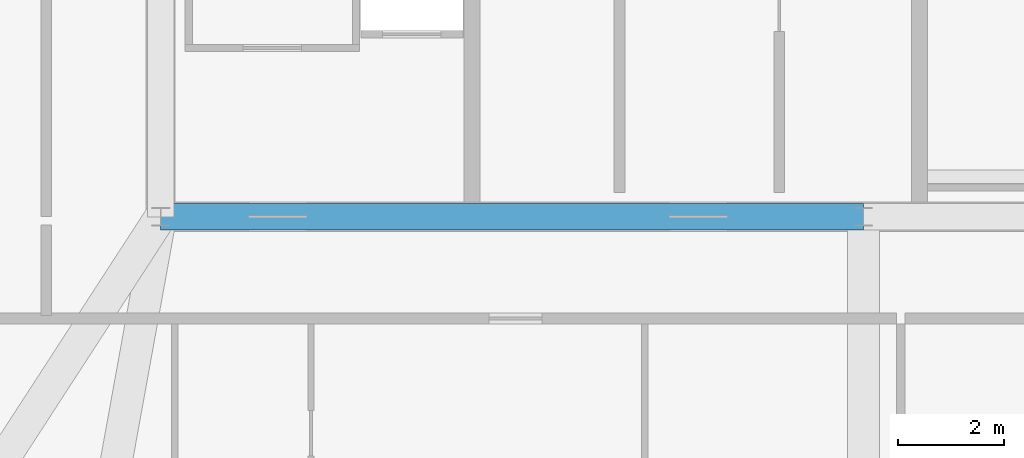
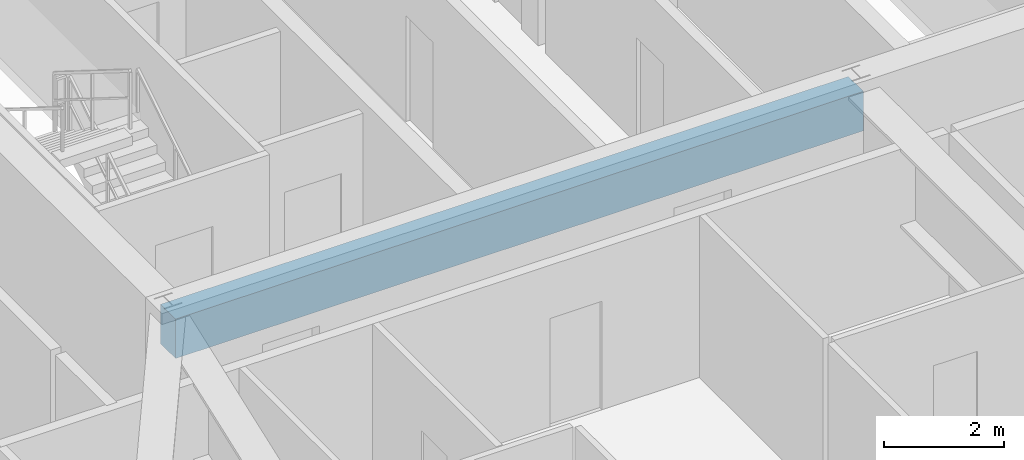
# One storey, part 9 of 33: 1 beam.
"""IFC4 building model written with IfcOpenShell, lengths in metres."""

from ifc_helpers import new_model, si_unit, direction, frame, origin, origin_2d, place, context, subcontext, project, spatial, rectangle, extrude, source, transform, mapped, material, material_profile, profile_set, type_object, element, save


model = new_model("IFC4")

# Units and contexts
model_context = context("Model", 3, precision=1e-05, world=origin(), true_north=direction((0.0, 1.0)))
body_context = subcontext(model_context, "Body", "Model", "MODEL_VIEW")
ifc_project = project(units=[si_unit("LENGTHUNIT", "METRE"), si_unit("AREAUNIT", "SQUARE_METRE"), si_unit("VOLUMEUNIT", "CUBIC_METRE"), si_unit("PLANEANGLEUNIT", "RADIAN"), si_unit("MASSUNIT", "GRAM", prefix="KILO"), si_unit("THERMODYNAMICTEMPERATUREUNIT", "KELVIN"), si_unit("POWERUNIT", "WATT")], contexts=[model_context])

# Site, building, storey
site_placement = place(None, origin())
site = spatial("IfcSite", under=ifc_project, at=site_placement, CompositionType="ELEMENT")
building_placement = place(site_placement, origin())
building = spatial("IfcBuilding", under=site, at=building_placement, Name="Yuzanri Waterfront Tower", CompositionType="ELEMENT")
storey_placement = place(building_placement, frame((0.0, 0.0, 282.10009765625)))
storey = spatial("IfcBuildingStorey", under=building, at=storey_placement, Name="L75", CompositionType="ELEMENT", Elevation=282.10009765625)

# Beam
ifc_material = material(Name="Concrete C50", Category="concrete")
ifc_material_profile = material_profile(ifc_material, rectangle(XDim=0.5, YDim=0.800048828125, at=origin_2d()), Name="RC 500x800")
ifc_profile_set = profile_set([ifc_material_profile], Name="Concrete C50")
beam_type = type_object("IfcBeamType", Name="Core Coupling Lintel Concrete C50 500x800", PredefinedType="LINTEL", material=ifc_profile_set)
shared_shape = source(origin(), body_context, "Body", "SweptSolid", [
    extrude(rectangle(XDim=0.5, YDim=0.800048828125, at=origin_2d()), origin(), (0.0, 0.0, 1.0), 13.199951171875),
])
beam_placement = place(storey_placement, frame((23.800048828125, 19.39990234375, 2.8798828125), z_axis=(1.0, 0.0, 0.0), x_axis=(0.0, 1.0, 0.0)))
element("IfcBeam", 1, at=beam_placement, inside=storey, type_object=beam_type, Name="L75 Core Tie Beam CS1", PredefinedType="LINTEL", context=body_context, shape_type="MappedRepresentation", body=[
    mapped(shared_shape, transform((0.0, 0.0, 0.0), scale=1.0)),
])

save(model, "model.ifc")
